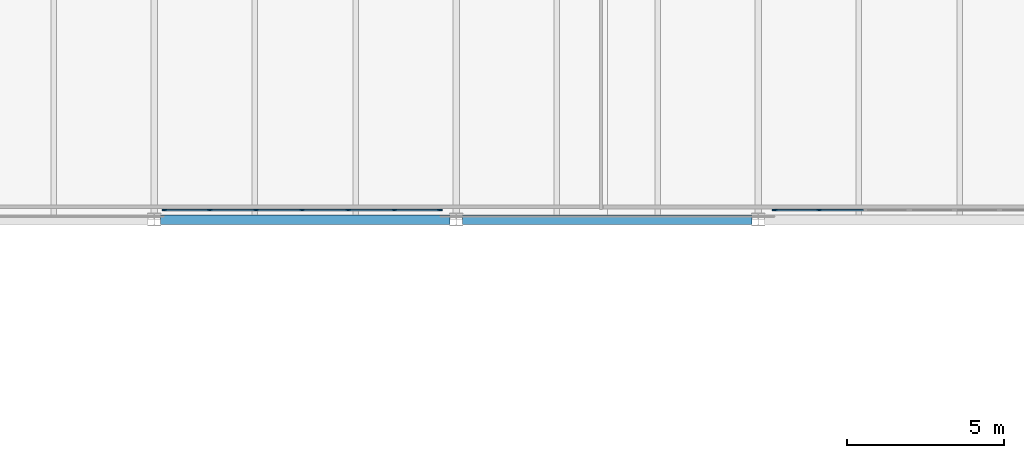
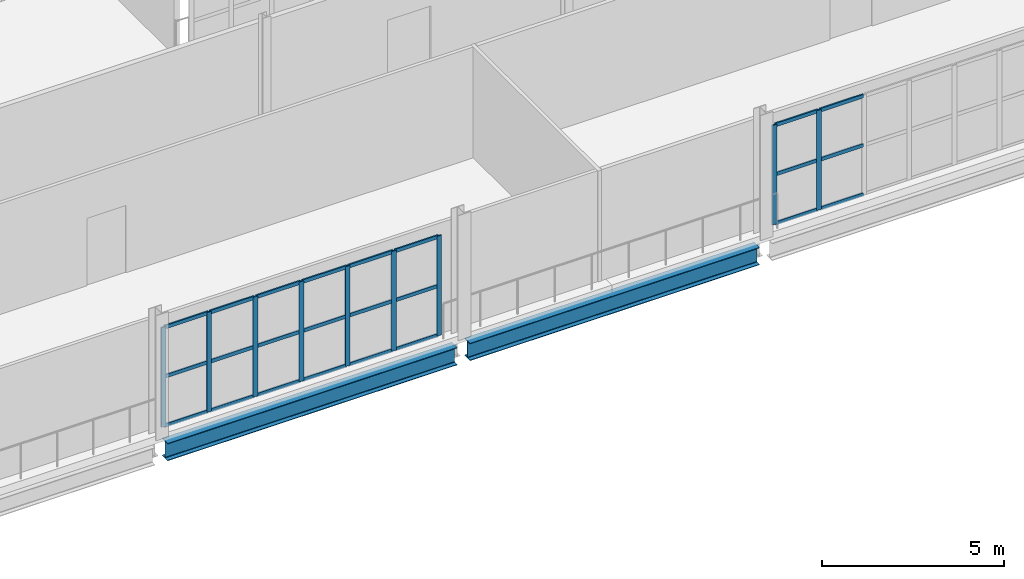
# One storey, part 22 of 58: 33 members, 2 beams, 2 elements without a shape of their own.
"""IFC4 building model written with IfcOpenShell, lengths in metres."""

from ifc_helpers import new_model, si_unit, direction, frame, origin, origin_2d, place, context, subcontext, project, spatial, rectangle, i_section, extrude, material, layer, layer_set, material_profile, profile_set, type_object, element, aggregate, save


model = new_model("IFC4")

# Units and contexts
model_context = context("Model", 3, precision=1e-05, world=origin(), true_north=direction((0.0, 1.0)))
body_context = subcontext(model_context, "Body", "Model", "MODEL_VIEW")
ifc_project = project(units=[si_unit("LENGTHUNIT", "METRE"), si_unit("AREAUNIT", "SQUARE_METRE"), si_unit("VOLUMEUNIT", "CUBIC_METRE"), si_unit("PLANEANGLEUNIT", "RADIAN"), si_unit("MASSUNIT", "GRAM", prefix="KILO")], contexts=[model_context])

# Site, building, storey
site_placement = place(None, origin())
site = spatial("IfcSite", under=ifc_project, at=site_placement, CompositionType="ELEMENT")
building_placement = place(site_placement, origin())
building = spatial("IfcBuilding", under=site, at=building_placement, Name="Yeouljin Market Hall", CompositionType="ELEMENT")
storey_placement = place(building_placement, frame((0.0, 0.0, 10.800048828125)))
storey = spatial("IfcBuildingStorey", under=building, at=storey_placement, Name="L02", CompositionType="ELEMENT", Elevation=10.800048828125)

# Curtain wall, members
ifc_material_1 = material(Name="Thermally Broken Aluminium", Category="aluminium")
ifc_layer = layer(ifc_material_1, 0.14990234375)
ifc_layer_set = layer_set([ifc_layer], Name="Thermally Broken Aluminium")
curtain_wall_type = type_object("IfcCurtainWallType", Name="CW_WingStorefront_System", PredefinedType="USERDEFINED", material=ifc_layer_set)
curtain_wall_1_placement = place(storey_placement, origin())
curtain_wall_1 = element("IfcCurtainWall", 1, at=curtain_wall_1_placement, inside=storey, type_object=curtain_wall_type, Name="Curtain wall CW-CRT-L02-25", ObjectType="CURTAIN WALL", PredefinedType="USERDEFINED")
ifc_material_2 = material(Name="Thermally Broken Aluminium", Category="aluminium")
ifc_material_profile_1 = material_profile(ifc_material_2, rectangle(XDim=0.048095703125, YDim=0.14990234375, at=origin_2d()), Name="CW-MULL-48x150")
ifc_profile_set_1 = profile_set([ifc_material_profile_1], Name="Thermally Broken Aluminium")
member_type_1 = type_object("IfcMemberType", Name="CWMullion_48x150", PredefinedType="MULLION", material=ifc_profile_set_1)
member_1_placement = place(storey_placement, frame((74.1240234375, 78.300048828125, 0.0), z_axis=(0.0, 0.0, 1.0), x_axis=(0.0, 1.0, 0.0)))
member_1 = element("IfcMember", 2, at=member_1_placement, type_object=member_type_1, Name="CW-04 mullion 1", PredefinedType="MULLION", context=body_context, shape_type="SweptSolid", body=[
    extrude(rectangle(XDim=0.048095703125, YDim=0.14990234375, at=origin_2d()), origin(), (0.0, 0.0, 1.0), 3.349853515625),
])
member_2_placement = place(storey_placement, frame((75.566650390625, 78.300048828125, 0.0), z_axis=(0.0, 0.0, 1.0), x_axis=(0.0, 1.0, 0.0)))
member_2 = element("IfcMember", 3, at=member_2_placement, type_object=member_type_1, Name="CW-04 mullion 2", PredefinedType="MULLION", context=body_context, shape_type="SweptSolid", body=[
    extrude(rectangle(XDim=0.048095703125, YDim=0.14990234375, at=origin_2d()), origin(), (0.0, 0.0, 1.0), 3.349853515625),
])
member_3_placement = place(storey_placement, frame((77.033447265625, 78.300048828125, 0.0), z_axis=(0.0, 0.0, 1.0), x_axis=(0.0, 1.0, 0.0)))
member_3 = element("IfcMember", 4, at=member_3_placement, type_object=member_type_1, Name="CW-04 mullion 3", PredefinedType="MULLION", context=body_context, shape_type="SweptSolid", body=[
    extrude(rectangle(XDim=0.048095703125, YDim=0.14990234375, at=origin_2d()), origin(), (0.0, 0.0, 1.0), 3.349853515625),
])
member_4_placement = place(storey_placement, frame((78.5, 78.300048828125, 0.0), z_axis=(0.0, 0.0, 1.0), x_axis=(0.0, 1.0, 0.0)))
member_4 = element("IfcMember", 5, at=member_4_placement, type_object=member_type_1, Name="CW-04 mullion 4", PredefinedType="MULLION", context=body_context, shape_type="SweptSolid", body=[
    extrude(rectangle(XDim=0.048095703125, YDim=0.14990234375, at=origin_2d()), origin(), (0.0, 0.0, 1.0), 3.349853515625),
])
member_5_placement = place(storey_placement, frame((79.966552734375, 78.300048828125, 0.0), z_axis=(0.0, 0.0, 1.0), x_axis=(0.0, 1.0, 0.0)))
member_5 = element("IfcMember", 6, at=member_5_placement, type_object=member_type_1, Name="CW-04 mullion 5", PredefinedType="MULLION", context=body_context, shape_type="SweptSolid", body=[
    extrude(rectangle(XDim=0.048095703125, YDim=0.14990234375, at=origin_2d()), origin(), (0.0, 0.0, 1.0), 3.349853515625),
])
member_6_placement = place(storey_placement, frame((81.433349609375, 78.300048828125, 0.0), z_axis=(0.0, 0.0, 1.0), x_axis=(0.0, 1.0, 0.0)))
member_6 = element("IfcMember", 7, at=member_6_placement, type_object=member_type_1, Name="CW-04 mullion 6", PredefinedType="MULLION", context=body_context, shape_type="SweptSolid", body=[
    extrude(rectangle(XDim=0.048095703125, YDim=0.14990234375, at=origin_2d()), origin(), (0.0, 0.0, 1.0), 3.349853515625),
])
member_7_placement = place(storey_placement, frame((82.8759765625, 78.300048828125, 0.0), z_axis=(0.0, 0.0, 1.0), x_axis=(0.0, 1.0, 0.0)))
member_7 = element("IfcMember", 8, at=member_7_placement, type_object=member_type_1, Name="CW-04 mullion 7", PredefinedType="MULLION", context=body_context, shape_type="SweptSolid", body=[
    extrude(rectangle(XDim=0.048095703125, YDim=0.14990234375, at=origin_2d()), origin(), (0.0, 0.0, 1.0), 3.349853515625),
])

curtain_wall_2_placement = place(storey_placement, origin())
curtain_wall_2 = element("IfcCurtainWall", 9, at=curtain_wall_2_placement, inside=storey, type_object=curtain_wall_type, Name="Curtain wall CW-CRT-L02-26", ObjectType="CURTAIN WALL", PredefinedType="USERDEFINED")
member_8_placement = place(storey_placement, frame((93.52392578125, 78.300048828125, 0.0), z_axis=(0.0, 0.0, 1.0), x_axis=(0.0, 1.0, 0.0)))
member_8 = element("IfcMember", 10, at=member_8_placement, type_object=member_type_1, Name="CW-04 mullion 1", PredefinedType="MULLION", context=body_context, shape_type="SweptSolid", body=[
    extrude(rectangle(XDim=0.048095703125, YDim=0.14990234375, at=origin_2d()), origin(), (0.0, 0.0, 1.0), 3.349853515625),
])
member_9_placement = place(storey_placement, frame((94.933349609375, 78.300048828125, 0.0), z_axis=(0.0, 0.0, 1.0), x_axis=(0.0, 1.0, 0.0)))
member_9 = element("IfcMember", 11, at=member_9_placement, type_object=member_type_1, Name="CW-04 mullion 2", PredefinedType="MULLION", context=body_context, shape_type="SweptSolid", body=[
    extrude(rectangle(XDim=0.048095703125, YDim=0.14990234375, at=origin_2d()), origin(), (0.0, 0.0, 1.0), 3.349853515625),
])

# Member
ifc_material_3 = material(Name="Thermally Broken Aluminium", Category="aluminium")
ifc_material_profile_2 = material_profile(ifc_material_3, rectangle(XDim=0.048095703125, YDim=0.1201171875, at=origin_2d()), Name="CW-TRAN-48x120")
ifc_profile_set_2 = profile_set([ifc_material_profile_2], Name="Thermally Broken Aluminium")
member_type_2 = type_object("IfcMemberType", Name="CWTransom_48x120", PredefinedType="USERDEFINED", material=ifc_profile_set_2)
member_10_placement = place(storey_placement, frame((74.14794921875, 78.300048828125, 0.02392578125), z_axis=(1.0, 0.0, 0.0), x_axis=(0.0, 1.0, 0.0)))
member_10 = element("IfcMember", 12, at=member_10_placement, type_object=member_type_2, Name="CW-04 transom 1.1", ObjectType="TRANSOM", PredefinedType="USERDEFINED", context=body_context, shape_type="SweptSolid", body=[
    extrude(rectangle(XDim=0.048095703125, YDim=0.1201171875, at=origin_2d()), origin(), (0.0, 0.0, 1.0), 1.394775390625),
])

member_11_placement = place(storey_placement, frame((74.14794921875, 78.300048828125, 1.675048828125), z_axis=(1.0, 0.0, 0.0), x_axis=(0.0, 1.0, 0.0)))
member_11 = element("IfcMember", 13, at=member_11_placement, type_object=member_type_2, Name="CW-04 transom 1.2", ObjectType="TRANSOM", PredefinedType="USERDEFINED", context=body_context, shape_type="SweptSolid", body=[
    extrude(rectangle(XDim=0.048095703125, YDim=0.1201171875, at=origin_2d()), origin(), (0.0, 0.0, 1.0), 1.394775390625),
])

member_12_placement = place(storey_placement, frame((74.14794921875, 78.300048828125, 3.325927734375), z_axis=(1.0, 0.0, 0.0), x_axis=(0.0, 1.0, 0.0)))
member_12 = element("IfcMember", 14, at=member_12_placement, type_object=member_type_2, Name="CW-04 transom 1.3", ObjectType="TRANSOM", PredefinedType="USERDEFINED", context=body_context, shape_type="SweptSolid", body=[
    extrude(rectangle(XDim=0.048095703125, YDim=0.1201171875, at=origin_2d()), origin(), (0.0, 0.0, 1.0), 1.394775390625),
])

member_13_placement = place(storey_placement, frame((75.590576171875, 78.300048828125, 0.02392578125), z_axis=(1.0, 0.0, 0.0), x_axis=(0.0, 1.0, 0.0)))
member_13 = element("IfcMember", 15, at=member_13_placement, type_object=member_type_2, Name="CW-04 transom 2.1", ObjectType="TRANSOM", PredefinedType="USERDEFINED", context=body_context, shape_type="SweptSolid", body=[
    extrude(rectangle(XDim=0.048095703125, YDim=0.1201171875, at=origin_2d()), origin(), (0.0, 0.0, 1.0), 1.418701171875),
])

member_14_placement = place(storey_placement, frame((75.590576171875, 78.300048828125, 1.675048828125), z_axis=(1.0, 0.0, 0.0), x_axis=(0.0, 1.0, 0.0)))
member_14 = element("IfcMember", 16, at=member_14_placement, type_object=member_type_2, Name="CW-04 transom 2.2", ObjectType="TRANSOM", PredefinedType="USERDEFINED", context=body_context, shape_type="SweptSolid", body=[
    extrude(rectangle(XDim=0.048095703125, YDim=0.1201171875, at=origin_2d()), origin(), (0.0, 0.0, 1.0), 1.418701171875),
])

member_15_placement = place(storey_placement, frame((75.590576171875, 78.300048828125, 3.325927734375), z_axis=(1.0, 0.0, 0.0), x_axis=(0.0, 1.0, 0.0)))
member_15 = element("IfcMember", 17, at=member_15_placement, type_object=member_type_2, Name="CW-04 transom 2.3", ObjectType="TRANSOM", PredefinedType="USERDEFINED", context=body_context, shape_type="SweptSolid", body=[
    extrude(rectangle(XDim=0.048095703125, YDim=0.1201171875, at=origin_2d()), origin(), (0.0, 0.0, 1.0), 1.418701171875),
])

member_16_placement = place(storey_placement, frame((77.057373046875, 78.300048828125, 0.02392578125), z_axis=(1.0, 0.0, 0.0), x_axis=(0.0, 1.0, 0.0)))
member_16 = element("IfcMember", 18, at=member_16_placement, type_object=member_type_2, Name="CW-04 transom 3.1", ObjectType="TRANSOM", PredefinedType="USERDEFINED", context=body_context, shape_type="SweptSolid", body=[
    extrude(rectangle(XDim=0.048095703125, YDim=0.1201171875, at=origin_2d()), origin(), (0.0, 0.0, 1.0), 1.418701171875),
])

member_17_placement = place(storey_placement, frame((77.057373046875, 78.300048828125, 1.675048828125), z_axis=(1.0, 0.0, 0.0), x_axis=(0.0, 1.0, 0.0)))
member_17 = element("IfcMember", 19, at=member_17_placement, type_object=member_type_2, Name="CW-04 transom 3.2", ObjectType="TRANSOM", PredefinedType="USERDEFINED", context=body_context, shape_type="SweptSolid", body=[
    extrude(rectangle(XDim=0.048095703125, YDim=0.1201171875, at=origin_2d()), origin(), (0.0, 0.0, 1.0), 1.418701171875),
])

member_18_placement = place(storey_placement, frame((77.057373046875, 78.300048828125, 3.325927734375), z_axis=(1.0, 0.0, 0.0), x_axis=(0.0, 1.0, 0.0)))
member_18 = element("IfcMember", 20, at=member_18_placement, type_object=member_type_2, Name="CW-04 transom 3.3", ObjectType="TRANSOM", PredefinedType="USERDEFINED", context=body_context, shape_type="SweptSolid", body=[
    extrude(rectangle(XDim=0.048095703125, YDim=0.1201171875, at=origin_2d()), origin(), (0.0, 0.0, 1.0), 1.418701171875),
])

member_19_placement = place(storey_placement, frame((78.52392578125, 78.300048828125, 0.02392578125), z_axis=(1.0, 0.0, 0.0), x_axis=(0.0, 1.0, 0.0)))
member_19 = element("IfcMember", 21, at=member_19_placement, type_object=member_type_2, Name="CW-04 transom 4.1", ObjectType="TRANSOM", PredefinedType="USERDEFINED", context=body_context, shape_type="SweptSolid", body=[
    extrude(rectangle(XDim=0.048095703125, YDim=0.1201171875, at=origin_2d()), origin(), (0.0, 0.0, 1.0), 1.418701171875),
])

member_20_placement = place(storey_placement, frame((78.52392578125, 78.300048828125, 1.675048828125), z_axis=(1.0, 0.0, 0.0), x_axis=(0.0, 1.0, 0.0)))
member_20 = element("IfcMember", 22, at=member_20_placement, type_object=member_type_2, Name="CW-04 transom 4.2", ObjectType="TRANSOM", PredefinedType="USERDEFINED", context=body_context, shape_type="SweptSolid", body=[
    extrude(rectangle(XDim=0.048095703125, YDim=0.1201171875, at=origin_2d()), origin(), (0.0, 0.0, 1.0), 1.418701171875),
])

member_21_placement = place(storey_placement, frame((78.52392578125, 78.300048828125, 3.325927734375), z_axis=(1.0, 0.0, 0.0), x_axis=(0.0, 1.0, 0.0)))
member_21 = element("IfcMember", 23, at=member_21_placement, type_object=member_type_2, Name="CW-04 transom 4.3", ObjectType="TRANSOM", PredefinedType="USERDEFINED", context=body_context, shape_type="SweptSolid", body=[
    extrude(rectangle(XDim=0.048095703125, YDim=0.1201171875, at=origin_2d()), origin(), (0.0, 0.0, 1.0), 1.418701171875),
])

member_22_placement = place(storey_placement, frame((79.99072265625, 78.300048828125, 0.02392578125), z_axis=(1.0, 0.0, 0.0), x_axis=(0.0, 1.0, 0.0)))
member_22 = element("IfcMember", 24, at=member_22_placement, type_object=member_type_2, Name="CW-04 transom 5.1", ObjectType="TRANSOM", PredefinedType="USERDEFINED", context=body_context, shape_type="SweptSolid", body=[
    extrude(rectangle(XDim=0.048095703125, YDim=0.1201171875, at=origin_2d()), origin(), (0.0, 0.0, 1.0), 1.418701171875),
])

member_23_placement = place(storey_placement, frame((79.99072265625, 78.300048828125, 1.675048828125), z_axis=(1.0, 0.0, 0.0), x_axis=(0.0, 1.0, 0.0)))
member_23 = element("IfcMember", 25, at=member_23_placement, type_object=member_type_2, Name="CW-04 transom 5.2", ObjectType="TRANSOM", PredefinedType="USERDEFINED", context=body_context, shape_type="SweptSolid", body=[
    extrude(rectangle(XDim=0.048095703125, YDim=0.1201171875, at=origin_2d()), origin(), (0.0, 0.0, 1.0), 1.418701171875),
])

member_24_placement = place(storey_placement, frame((79.99072265625, 78.300048828125, 3.325927734375), z_axis=(1.0, 0.0, 0.0), x_axis=(0.0, 1.0, 0.0)))
member_24 = element("IfcMember", 26, at=member_24_placement, type_object=member_type_2, Name="CW-04 transom 5.3", ObjectType="TRANSOM", PredefinedType="USERDEFINED", context=body_context, shape_type="SweptSolid", body=[
    extrude(rectangle(XDim=0.048095703125, YDim=0.1201171875, at=origin_2d()), origin(), (0.0, 0.0, 1.0), 1.418701171875),
])

member_25_placement = place(storey_placement, frame((81.457275390625, 78.300048828125, 0.02392578125), z_axis=(1.0, 0.0, 0.0), x_axis=(0.0, 1.0, 0.0)))
member_25 = element("IfcMember", 27, at=member_25_placement, type_object=member_type_2, Name="CW-04 transom 6.1", ObjectType="TRANSOM", PredefinedType="USERDEFINED", context=body_context, shape_type="SweptSolid", body=[
    extrude(rectangle(XDim=0.048095703125, YDim=0.1201171875, at=origin_2d()), origin(), (0.0, 0.0, 1.0), 1.394775390625),
])

member_26_placement = place(storey_placement, frame((81.457275390625, 78.300048828125, 1.675048828125), z_axis=(1.0, 0.0, 0.0), x_axis=(0.0, 1.0, 0.0)))
member_26 = element("IfcMember", 28, at=member_26_placement, type_object=member_type_2, Name="CW-04 transom 6.2", ObjectType="TRANSOM", PredefinedType="USERDEFINED", context=body_context, shape_type="SweptSolid", body=[
    extrude(rectangle(XDim=0.048095703125, YDim=0.1201171875, at=origin_2d()), origin(), (0.0, 0.0, 1.0), 1.394775390625),
])

member_27_placement = place(storey_placement, frame((81.457275390625, 78.300048828125, 3.325927734375), z_axis=(1.0, 0.0, 0.0), x_axis=(0.0, 1.0, 0.0)))
member_27 = element("IfcMember", 29, at=member_27_placement, type_object=member_type_2, Name="CW-04 transom 6.3", ObjectType="TRANSOM", PredefinedType="USERDEFINED", context=body_context, shape_type="SweptSolid", body=[
    extrude(rectangle(XDim=0.048095703125, YDim=0.1201171875, at=origin_2d()), origin(), (0.0, 0.0, 1.0), 1.394775390625),
])

aggregate(curtain_wall_1, [member_1, member_2, member_3, member_4, member_5, member_6, member_7, member_10, member_11, member_12, member_13, member_14, member_15, member_16, member_17, member_18, member_19, member_20, member_21, member_22, member_23, member_24, member_25, member_26, member_27])

member_28_placement = place(storey_placement, frame((93.548095703125, 78.300048828125, 0.02392578125), z_axis=(1.0, 0.0, 0.0), x_axis=(0.0, 1.0, 0.0)))
member_28 = element("IfcMember", 30, at=member_28_placement, type_object=member_type_2, Name="CW-04 transom 1.1", ObjectType="TRANSOM", PredefinedType="USERDEFINED", context=body_context, shape_type="SweptSolid", body=[
    extrude(rectangle(XDim=0.048095703125, YDim=0.1201171875, at=origin_2d()), origin(), (0.0, 0.0, 1.0), 1.361328125),
])

member_29_placement = place(storey_placement, frame((93.548095703125, 78.300048828125, 1.675048828125), z_axis=(1.0, 0.0, 0.0), x_axis=(0.0, 1.0, 0.0)))
member_29 = element("IfcMember", 31, at=member_29_placement, type_object=member_type_2, Name="CW-04 transom 1.2", ObjectType="TRANSOM", PredefinedType="USERDEFINED", context=body_context, shape_type="SweptSolid", body=[
    extrude(rectangle(XDim=0.048095703125, YDim=0.1201171875, at=origin_2d()), origin(), (0.0, 0.0, 1.0), 1.361328125),
])

member_30_placement = place(storey_placement, frame((93.548095703125, 78.300048828125, 3.325927734375), z_axis=(1.0, 0.0, 0.0), x_axis=(0.0, 1.0, 0.0)))
member_30 = element("IfcMember", 32, at=member_30_placement, type_object=member_type_2, Name="CW-04 transom 1.3", ObjectType="TRANSOM", PredefinedType="USERDEFINED", context=body_context, shape_type="SweptSolid", body=[
    extrude(rectangle(XDim=0.048095703125, YDim=0.1201171875, at=origin_2d()), origin(), (0.0, 0.0, 1.0), 1.361328125),
])

member_31_placement = place(storey_placement, frame((94.957275390625, 78.300048828125, 0.02392578125), z_axis=(1.0, 0.0, 0.0), x_axis=(0.0, 1.0, 0.0)))
member_31 = element("IfcMember", 33, at=member_31_placement, type_object=member_type_2, Name="CW-04 transom 2.1", ObjectType="TRANSOM", PredefinedType="USERDEFINED", context=body_context, shape_type="SweptSolid", body=[
    extrude(rectangle(XDim=0.048095703125, YDim=0.1201171875, at=origin_2d()), origin(), (0.0, 0.0, 1.0), 1.385498046875),
])

member_32_placement = place(storey_placement, frame((94.957275390625, 78.300048828125, 1.675048828125), z_axis=(1.0, 0.0, 0.0), x_axis=(0.0, 1.0, 0.0)))
member_32 = element("IfcMember", 34, at=member_32_placement, type_object=member_type_2, Name="CW-04 transom 2.2", ObjectType="TRANSOM", PredefinedType="USERDEFINED", context=body_context, shape_type="SweptSolid", body=[
    extrude(rectangle(XDim=0.048095703125, YDim=0.1201171875, at=origin_2d()), origin(), (0.0, 0.0, 1.0), 1.385498046875),
])

member_33_placement = place(storey_placement, frame((94.957275390625, 78.300048828125, 3.325927734375), z_axis=(1.0, 0.0, 0.0), x_axis=(0.0, 1.0, 0.0)))
member_33 = element("IfcMember", 35, at=member_33_placement, type_object=member_type_2, Name="CW-04 transom 2.3", ObjectType="TRANSOM", PredefinedType="USERDEFINED", context=body_context, shape_type="SweptSolid", body=[
    extrude(rectangle(XDim=0.048095703125, YDim=0.1201171875, at=origin_2d()), origin(), (0.0, 0.0, 1.0), 1.385498046875),
])

aggregate(curtain_wall_2, [member_8, member_9, member_28, member_29, member_30, member_31, member_32, member_33])

# Beams
ifc_material_4 = material(Name="Steel SM355", Category="steel")
ifc_material_profile_3 = material_profile(ifc_material_4, i_section(OverallWidth=0.300048828125, OverallDepth=0.587890625, WebThickness=0.011962890625, FlangeThickness=0.02001953125, FilletRadius=0.02392578125, at=origin_2d()), Name="H-588x300x12x20")
ifc_profile_set_3 = profile_set([ifc_material_profile_3], Name="Steel SM355")
beam_type = type_object("IfcBeamType", Name="Girder_H-588x300x12x20", PredefinedType="USERDEFINED", material=ifc_profile_set_3)
for number, where, z_axis, x_axis, name in (
    (36, (74.0, 78.0, -0.549072265625), (1.0, 0.0, 0.0), (0.0, 1.0, 0.0), "Primary girder GRD-L02-X049"),
    (37, (83.60009765625, 78.0, -0.549072265625), (1.0, 0.0, 0.0), (0.0, 1.0, 0.0), "Primary girder GRD-L02-X050"),
):
    element("IfcBeam", number, at=place(storey_placement, frame(where, z_axis=z_axis, x_axis=x_axis)), inside=storey, type_object=beam_type, Name=name, ObjectType="GIRDER", PredefinedType="USERDEFINED", context=body_context, shape_type="SweptSolid", body=[
        extrude(i_section(OverallWidth=0.300048828125, OverallDepth=0.587890625, WebThickness=0.011962890625, FlangeThickness=0.02001953125, FilletRadius=0.02392578125, at=origin_2d()), origin(), (0.0, 0.0, 1.0), 9.199951171875),
    ])

save(model, "model.ifc")
